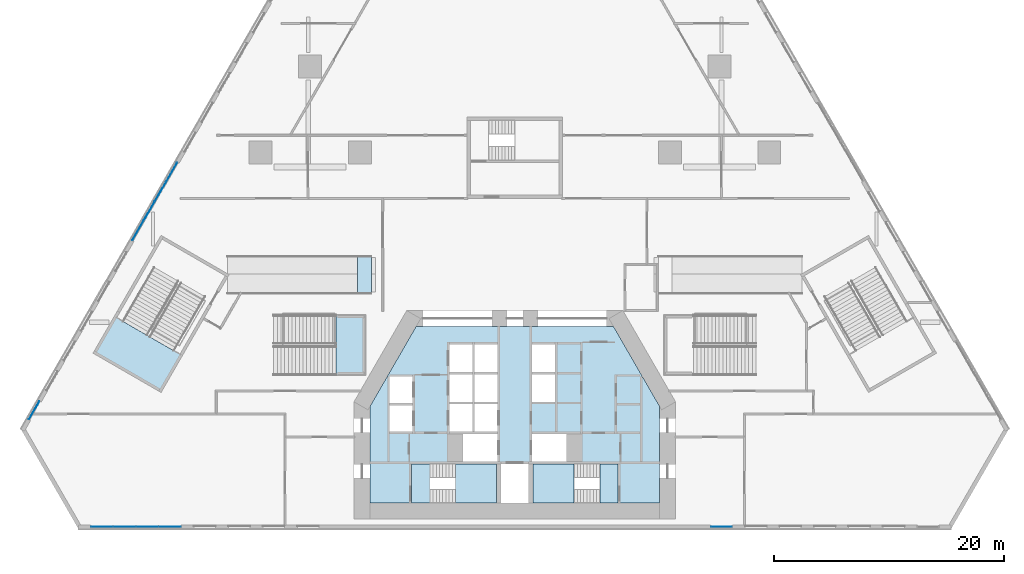
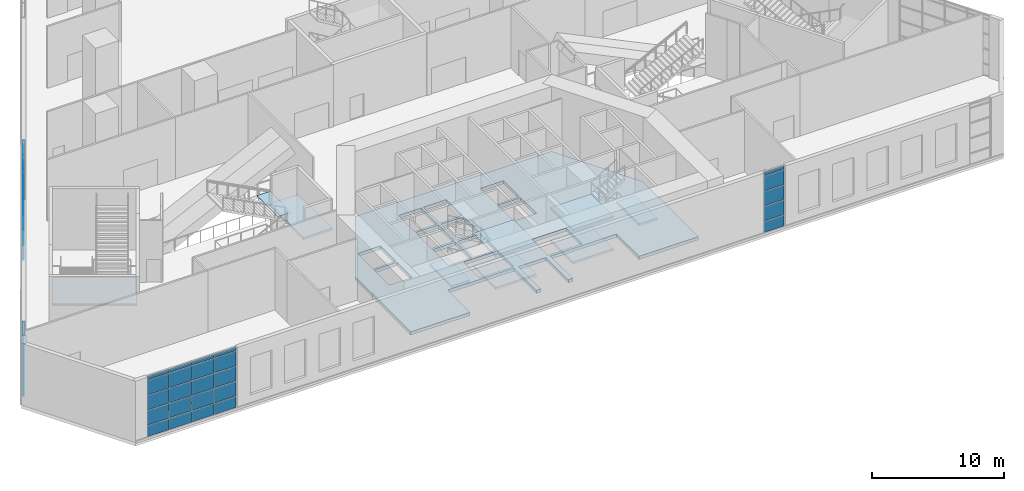
# One storey, part 11 of 27: 51 plates, 9 slabs, 8 elements without a shape of their own.
"""IFC4 building model written with IfcOpenShell, lengths in metres."""

from ifc_helpers import new_model, si_unit, direction, frame, origin, origin_2d, place, context, subcontext, project, spatial, polyline, rectangle, outline, extrude, material, layer, layer_set, type_object, element, aggregate, save


model = new_model("IFC4")

# Units and contexts
model_context = context("Model", 3, precision=1e-05, world=origin(), true_north=direction((0.0, 1.0)))
body_context = subcontext(model_context, "Body", "Model", "MODEL_VIEW")
ifc_project = project(units=[si_unit("LENGTHUNIT", "METRE"), si_unit("AREAUNIT", "SQUARE_METRE"), si_unit("VOLUMEUNIT", "CUBIC_METRE"), si_unit("PLANEANGLEUNIT", "RADIAN"), si_unit("MASSUNIT", "GRAM", prefix="KILO")], contexts=[model_context])

# Site, building, storey
site_placement = place(None, origin())
site = spatial("IfcSite", under=ifc_project, at=site_placement, CompositionType="ELEMENT")
building_placement = place(site_placement, origin())
building = spatial("IfcBuilding", under=site, at=building_placement, Name="Fogline Exchange Tower", CompositionType="ELEMENT")
storey_placement = place(building_placement, frame((0.0, 0.0, 8.0)))
storey = spatial("IfcBuildingStorey", under=building, at=storey_placement, Name="L01", CompositionType="ELEMENT", Elevation=8.0)

# Curtain wall, plates
ifc_material_1 = material(Name="Aluminium and glass", Category="aluminium")
curtain_wall_type = type_object("IfcCurtainWallType", Name="CW3", PredefinedType="NOTDEFINED", material=ifc_material_1)
curtain_wall_1_placement = place(storey_placement, origin())
curtain_wall_1 = element("IfcCurtainWall", 1, at=curtain_wall_1_placement, inside=storey, type_object=curtain_wall_type, Name="CW3 L01 S run 1", PredefinedType="NOTDEFINED")
ifc_material_2 = material(Name="Glass", Category="glass")
ifc_layer_1 = layer(ifc_material_2, 0.028076171875)
ifc_layer_set_1 = layer_set([ifc_layer_1], Name="CW3-P")
plate_type_1 = type_object("IfcPlateType", Name="CW3-P", PredefinedType="CURTAIN_PANEL", material=ifc_layer_set_1)
plate_1_placement = place(storey_placement, frame((-35.9443359375, 0.169921875, 0.06005859375), z_axis=(0.0, 0.0, 1.0), x_axis=(1.0, 0.0, 0.0)))
plate_1 = element("IfcPlate", 2, at=plate_1_placement, type_object=plate_type_1, Name="CW3-P01-01 panel 1.1", PredefinedType="CURTAIN_PANEL", context=body_context, shape_type="SweptSolid", body=[
    extrude(rectangle(XDim=1.896240234375, YDim=0.028076171875, at=origin_2d()), origin(), (0.0, 0.0, 1.0), 1.010009765625),
])
plate_2_placement = place(storey_placement, frame((-35.9443359375, 0.169921875, 1.1298828125), z_axis=(0.0, 0.0, 1.0), x_axis=(1.0, 0.0, 0.0)))
plate_2 = element("IfcPlate", 3, at=plate_2_placement, type_object=plate_type_1, Name="CW3-P01-01 panel 1.2", PredefinedType="CURTAIN_PANEL", context=body_context, shape_type="SweptSolid", body=[
    extrude(rectangle(XDim=1.896240234375, YDim=0.028076171875, at=origin_2d()), origin(), (0.0, 0.0, 1.0), 1.340087890625),
])
plate_3_placement = place(storey_placement, frame((-35.9443359375, 0.169921875, 2.52978515625), z_axis=(0.0, 0.0, 1.0), x_axis=(1.0, 0.0, 0.0)))
plate_3 = element("IfcPlate", 4, at=plate_3_placement, type_object=plate_type_1, Name="CW3-P01-01 panel 1.3", PredefinedType="CURTAIN_PANEL", context=body_context, shape_type="SweptSolid", body=[
    extrude(rectangle(XDim=1.896240234375, YDim=0.028076171875, at=origin_2d()), origin(), (0.0, 0.0, 1.0), 1.340087890625),
])
plate_4_placement = place(storey_placement, frame((-35.9443359375, 0.169921875, 3.93017578125), z_axis=(0.0, 0.0, 1.0), x_axis=(1.0, 0.0, 0.0)))
plate_4 = element("IfcPlate", 5, at=plate_4_placement, type_object=plate_type_1, Name="CW3-P01-01 panel 1.4", PredefinedType="CURTAIN_PANEL", context=body_context, shape_type="SweptSolid", body=[
    extrude(rectangle(XDim=1.896240234375, YDim=0.028076171875, at=origin_2d()), origin(), (0.0, 0.0, 1.0), 1.340087890625),
])
plate_5_placement = place(storey_placement, frame((-35.9443359375, 0.169921875, 5.330078125), z_axis=(0.0, 0.0, 1.0), x_axis=(1.0, 0.0, 0.0)))
plate_5 = element("IfcPlate", 6, at=plate_5_placement, type_object=plate_type_1, Name="CW3-P01-01 panel 1.5", PredefinedType="CURTAIN_PANEL", context=body_context, shape_type="SweptSolid", body=[
    extrude(rectangle(XDim=1.896240234375, YDim=0.028076171875, at=origin_2d()), origin(), (0.0, 0.0, 1.0), 0.31005859375),
])
plate_6_placement = place(storey_placement, frame((-33.985595703125, 0.169921875, 0.06005859375), z_axis=(0.0, 0.0, 1.0), x_axis=(1.0, 0.0, 0.0)))
plate_6 = element("IfcPlate", 7, at=plate_6_placement, type_object=plate_type_1, Name="CW3-P01-01 panel 2.1", PredefinedType="CURTAIN_PANEL", context=body_context, shape_type="SweptSolid", body=[
    extrude(rectangle(XDim=1.921142578125, YDim=0.028076171875, at=origin_2d()), origin(), (0.0, 0.0, 1.0), 1.010009765625),
])
plate_7_placement = place(storey_placement, frame((-33.985595703125, 0.169921875, 1.1298828125), z_axis=(0.0, 0.0, 1.0), x_axis=(1.0, 0.0, 0.0)))
plate_7 = element("IfcPlate", 8, at=plate_7_placement, type_object=plate_type_1, Name="CW3-P01-01 panel 2.2", PredefinedType="CURTAIN_PANEL", context=body_context, shape_type="SweptSolid", body=[
    extrude(rectangle(XDim=1.921142578125, YDim=0.028076171875, at=origin_2d()), origin(), (0.0, 0.0, 1.0), 1.340087890625),
])
plate_8_placement = place(storey_placement, frame((-33.985595703125, 0.169921875, 2.52978515625), z_axis=(0.0, 0.0, 1.0), x_axis=(1.0, 0.0, 0.0)))
plate_8 = element("IfcPlate", 9, at=plate_8_placement, type_object=plate_type_1, Name="CW3-P01-01 panel 2.3", PredefinedType="CURTAIN_PANEL", context=body_context, shape_type="SweptSolid", body=[
    extrude(rectangle(XDim=1.921142578125, YDim=0.028076171875, at=origin_2d()), origin(), (0.0, 0.0, 1.0), 1.340087890625),
])
plate_9_placement = place(storey_placement, frame((-33.985595703125, 0.169921875, 3.93017578125), z_axis=(0.0, 0.0, 1.0), x_axis=(1.0, 0.0, 0.0)))
plate_9 = element("IfcPlate", 10, at=plate_9_placement, type_object=plate_type_1, Name="CW3-P01-01 panel 2.4", PredefinedType="CURTAIN_PANEL", context=body_context, shape_type="SweptSolid", body=[
    extrude(rectangle(XDim=1.921142578125, YDim=0.028076171875, at=origin_2d()), origin(), (0.0, 0.0, 1.0), 1.340087890625),
])
plate_10_placement = place(storey_placement, frame((-33.985595703125, 0.169921875, 5.330078125), z_axis=(0.0, 0.0, 1.0), x_axis=(1.0, 0.0, 0.0)))
plate_10 = element("IfcPlate", 11, at=plate_10_placement, type_object=plate_type_1, Name="CW3-P01-01 panel 2.5", PredefinedType="CURTAIN_PANEL", context=body_context, shape_type="SweptSolid", body=[
    extrude(rectangle(XDim=1.921142578125, YDim=0.028076171875, at=origin_2d()), origin(), (0.0, 0.0, 1.0), 0.31005859375),
])
plate_11_placement = place(storey_placement, frame((-32.014404296875, 0.169921875, 0.06005859375), z_axis=(0.0, 0.0, 1.0), x_axis=(1.0, 0.0, 0.0)))
plate_11 = element("IfcPlate", 12, at=plate_11_placement, type_object=plate_type_1, Name="CW3-P01-01 panel 3.1", PredefinedType="CURTAIN_PANEL", context=body_context, shape_type="SweptSolid", body=[
    extrude(rectangle(XDim=1.921142578125, YDim=0.028076171875, at=origin_2d()), origin(), (0.0, 0.0, 1.0), 1.010009765625),
])
plate_12_placement = place(storey_placement, frame((-32.014404296875, 0.169921875, 1.1298828125), z_axis=(0.0, 0.0, 1.0), x_axis=(1.0, 0.0, 0.0)))
plate_12 = element("IfcPlate", 13, at=plate_12_placement, type_object=plate_type_1, Name="CW3-P01-01 panel 3.2", PredefinedType="CURTAIN_PANEL", context=body_context, shape_type="SweptSolid", body=[
    extrude(rectangle(XDim=1.921142578125, YDim=0.028076171875, at=origin_2d()), origin(), (0.0, 0.0, 1.0), 1.340087890625),
])
plate_13_placement = place(storey_placement, frame((-32.014404296875, 0.169921875, 2.52978515625), z_axis=(0.0, 0.0, 1.0), x_axis=(1.0, 0.0, 0.0)))
plate_13 = element("IfcPlate", 14, at=plate_13_placement, type_object=plate_type_1, Name="CW3-P01-01 panel 3.3", PredefinedType="CURTAIN_PANEL", context=body_context, shape_type="SweptSolid", body=[
    extrude(rectangle(XDim=1.921142578125, YDim=0.028076171875, at=origin_2d()), origin(), (0.0, 0.0, 1.0), 1.340087890625),
])
plate_14_placement = place(storey_placement, frame((-32.014404296875, 0.169921875, 3.93017578125), z_axis=(0.0, 0.0, 1.0), x_axis=(1.0, 0.0, 0.0)))
plate_14 = element("IfcPlate", 15, at=plate_14_placement, type_object=plate_type_1, Name="CW3-P01-01 panel 3.4", PredefinedType="CURTAIN_PANEL", context=body_context, shape_type="SweptSolid", body=[
    extrude(rectangle(XDim=1.921142578125, YDim=0.028076171875, at=origin_2d()), origin(), (0.0, 0.0, 1.0), 1.340087890625),
])
plate_15_placement = place(storey_placement, frame((-32.014404296875, 0.169921875, 5.330078125), z_axis=(0.0, 0.0, 1.0), x_axis=(1.0, 0.0, 0.0)))
plate_15 = element("IfcPlate", 16, at=plate_15_placement, type_object=plate_type_1, Name="CW3-P01-01 panel 3.5", PredefinedType="CURTAIN_PANEL", context=body_context, shape_type="SweptSolid", body=[
    extrude(rectangle(XDim=1.921142578125, YDim=0.028076171875, at=origin_2d()), origin(), (0.0, 0.0, 1.0), 0.31005859375),
])
plate_16_placement = place(storey_placement, frame((-30.0556640625, 0.169921875, 0.06005859375), z_axis=(0.0, 0.0, 1.0), x_axis=(1.0, 0.0, 0.0)))
plate_16 = element("IfcPlate", 17, at=plate_16_placement, type_object=plate_type_1, Name="CW3-P01-01 panel 4.1", PredefinedType="CURTAIN_PANEL", context=body_context, shape_type="SweptSolid", body=[
    extrude(rectangle(XDim=1.896240234375, YDim=0.028076171875, at=origin_2d()), origin(), (0.0, 0.0, 1.0), 1.010009765625),
])
plate_17_placement = place(storey_placement, frame((-30.0556640625, 0.169921875, 1.1298828125), z_axis=(0.0, 0.0, 1.0), x_axis=(1.0, 0.0, 0.0)))
plate_17 = element("IfcPlate", 18, at=plate_17_placement, type_object=plate_type_1, Name="CW3-P01-01 panel 4.2", PredefinedType="CURTAIN_PANEL", context=body_context, shape_type="SweptSolid", body=[
    extrude(rectangle(XDim=1.896240234375, YDim=0.028076171875, at=origin_2d()), origin(), (0.0, 0.0, 1.0), 1.340087890625),
])
plate_18_placement = place(storey_placement, frame((-30.0556640625, 0.169921875, 2.52978515625), z_axis=(0.0, 0.0, 1.0), x_axis=(1.0, 0.0, 0.0)))
plate_18 = element("IfcPlate", 19, at=plate_18_placement, type_object=plate_type_1, Name="CW3-P01-01 panel 4.3", PredefinedType="CURTAIN_PANEL", context=body_context, shape_type="SweptSolid", body=[
    extrude(rectangle(XDim=1.896240234375, YDim=0.028076171875, at=origin_2d()), origin(), (0.0, 0.0, 1.0), 1.340087890625),
])
plate_19_placement = place(storey_placement, frame((-30.0556640625, 0.169921875, 3.93017578125), z_axis=(0.0, 0.0, 1.0), x_axis=(1.0, 0.0, 0.0)))
plate_19 = element("IfcPlate", 20, at=plate_19_placement, type_object=plate_type_1, Name="CW3-P01-01 panel 4.4", PredefinedType="CURTAIN_PANEL", context=body_context, shape_type="SweptSolid", body=[
    extrude(rectangle(XDim=1.896240234375, YDim=0.028076171875, at=origin_2d()), origin(), (0.0, 0.0, 1.0), 1.340087890625),
])
plate_20_placement = place(storey_placement, frame((-30.0556640625, 0.169921875, 5.330078125), z_axis=(0.0, 0.0, 1.0), x_axis=(1.0, 0.0, 0.0)))
plate_20 = element("IfcPlate", 21, at=plate_20_placement, type_object=plate_type_1, Name="CW3-P01-01 panel 4.5", PredefinedType="CURTAIN_PANEL", context=body_context, shape_type="SweptSolid", body=[
    extrude(rectangle(XDim=1.896240234375, YDim=0.028076171875, at=origin_2d()), origin(), (0.0, 0.0, 1.0), 0.31005859375),
])
aggregate(curtain_wall_1, [plate_1, plate_2, plate_3, plate_4, plate_5, plate_6, plate_7, plate_8, plate_9, plate_10, plate_11, plate_12, plate_13, plate_14, plate_15, plate_16, plate_17, plate_18, plate_19, plate_20])

curtain_wall_2_placement = place(storey_placement, origin())
curtain_wall_2 = element("IfcCurtainWall", 22, at=curtain_wall_2_placement, inside=storey, type_object=curtain_wall_type, Name="CW3 L01 S run 2", PredefinedType="NOTDEFINED")
plate_21_placement = place(storey_placement, frame((18.0, 0.169921875, 0.06005859375), z_axis=(0.0, 0.0, 1.0), x_axis=(1.0, 0.0, 0.0)))
plate_21 = element("IfcPlate", 23, at=plate_21_placement, type_object=plate_type_1, Name="CW3-P01-02 panel 1.1", PredefinedType="CURTAIN_PANEL", context=body_context, shape_type="SweptSolid", body=[
    extrude(rectangle(XDim=1.784912109375, YDim=0.028076171875, at=origin_2d()), origin(), (0.0, 0.0, 1.0), 1.010009765625),
])
plate_22_placement = place(storey_placement, frame((18.0, 0.169921875, 1.1298828125), z_axis=(0.0, 0.0, 1.0), x_axis=(1.0, 0.0, 0.0)))
plate_22 = element("IfcPlate", 24, at=plate_22_placement, type_object=plate_type_1, Name="CW3-P01-02 panel 1.2", PredefinedType="CURTAIN_PANEL", context=body_context, shape_type="SweptSolid", body=[
    extrude(rectangle(XDim=1.784912109375, YDim=0.028076171875, at=origin_2d()), origin(), (0.0, 0.0, 1.0), 1.340087890625),
])
plate_23_placement = place(storey_placement, frame((18.0, 0.169921875, 2.52978515625), z_axis=(0.0, 0.0, 1.0), x_axis=(1.0, 0.0, 0.0)))
plate_23 = element("IfcPlate", 25, at=plate_23_placement, type_object=plate_type_1, Name="CW3-P01-02 panel 1.3", PredefinedType="CURTAIN_PANEL", context=body_context, shape_type="SweptSolid", body=[
    extrude(rectangle(XDim=1.784912109375, YDim=0.028076171875, at=origin_2d()), origin(), (0.0, 0.0, 1.0), 1.340087890625),
])
plate_24_placement = place(storey_placement, frame((18.0, 0.169921875, 3.93017578125), z_axis=(0.0, 0.0, 1.0), x_axis=(1.0, 0.0, 0.0)))
plate_24 = element("IfcPlate", 26, at=plate_24_placement, type_object=plate_type_1, Name="CW3-P01-02 panel 1.4", PredefinedType="CURTAIN_PANEL", context=body_context, shape_type="SweptSolid", body=[
    extrude(rectangle(XDim=1.784912109375, YDim=0.028076171875, at=origin_2d()), origin(), (0.0, 0.0, 1.0), 1.340087890625),
])
plate_25_placement = place(storey_placement, frame((18.0, 0.169921875, 5.330078125), z_axis=(0.0, 0.0, 1.0), x_axis=(1.0, 0.0, 0.0)))
plate_25 = element("IfcPlate", 27, at=plate_25_placement, type_object=plate_type_1, Name="CW3-P01-02 panel 1.5", PredefinedType="CURTAIN_PANEL", context=body_context, shape_type="SweptSolid", body=[
    extrude(rectangle(XDim=1.784912109375, YDim=0.028076171875, at=origin_2d()), origin(), (0.0, 0.0, 1.0), 0.31005859375),
])
aggregate(curtain_wall_2, [plate_21, plate_22, plate_23, plate_24, plate_25])

curtain_wall_3_placement = place(storey_placement, origin())
curtain_wall_3 = element("IfcCurtainWall", 28, at=curtain_wall_3_placement, inside=storey, type_object=curtain_wall_type, Name="CW3 L01 W run 3", PredefinedType="NOTDEFINED")
plate_26_placement = place(storey_placement, frame((-29.880615234375, 31.043701171875, 0.06005859375), z_axis=(0.0, 0.0, 1.0), x_axis=(-0.500000016959, -0.866025393993, 0.0)))
plate_26 = element("IfcPlate", 29, at=plate_26_placement, type_object=plate_type_1, Name="CW3-P01-10 panel 1.1", PredefinedType="CURTAIN_PANEL", context=body_context, shape_type="SweptSolid", body=[
    extrude(rectangle(XDim=1.896240234375, YDim=0.028076171875, at=origin_2d()), origin(), (0.0, 0.0, 1.0), 1.010009765625),
])
plate_27_placement = place(storey_placement, frame((-29.880615234375, 31.043701171875, 1.1298828125), z_axis=(0.0, 0.0, 1.0), x_axis=(-0.500000016959, -0.866025393993, 0.0)))
plate_27 = element("IfcPlate", 30, at=plate_27_placement, type_object=plate_type_1, Name="CW3-P01-10 panel 1.2", PredefinedType="CURTAIN_PANEL", context=body_context, shape_type="SweptSolid", body=[
    extrude(rectangle(XDim=1.896240234375, YDim=0.028076171875, at=origin_2d()), origin(), (0.0, 0.0, 1.0), 1.340087890625),
])
plate_28_placement = place(storey_placement, frame((-29.880615234375, 31.043701171875, 2.52978515625), z_axis=(0.0, 0.0, 1.0), x_axis=(-0.500000016959, -0.866025393993, 0.0)))
plate_28 = element("IfcPlate", 31, at=plate_28_placement, type_object=plate_type_1, Name="CW3-P01-10 panel 1.3", PredefinedType="CURTAIN_PANEL", context=body_context, shape_type="SweptSolid", body=[
    extrude(rectangle(XDim=1.896240234375, YDim=0.028076171875, at=origin_2d()), origin(), (0.0, 0.0, 1.0), 1.340087890625),
])
plate_29_placement = place(storey_placement, frame((-29.880615234375, 31.043701171875, 3.93017578125), z_axis=(0.0, 0.0, 1.0), x_axis=(-0.500000016959, -0.866025393993, 0.0)))
plate_29 = element("IfcPlate", 32, at=plate_29_placement, type_object=plate_type_1, Name="CW3-P01-10 panel 1.4", PredefinedType="CURTAIN_PANEL", context=body_context, shape_type="SweptSolid", body=[
    extrude(rectangle(XDim=1.896240234375, YDim=0.028076171875, at=origin_2d()), origin(), (0.0, 0.0, 1.0), 1.340087890625),
])
plate_30_placement = place(storey_placement, frame((-29.880615234375, 31.043701171875, 5.330078125), z_axis=(0.0, 0.0, 1.0), x_axis=(-0.500000016959, -0.866025393993, 0.0)))
plate_30 = element("IfcPlate", 33, at=plate_30_placement, type_object=plate_type_1, Name="CW3-P01-10 panel 1.5", PredefinedType="CURTAIN_PANEL", context=body_context, shape_type="SweptSolid", body=[
    extrude(rectangle(XDim=1.896240234375, YDim=0.028076171875, at=origin_2d()), origin(), (0.0, 0.0, 1.0), 0.31005859375),
])
plate_31_placement = place(storey_placement, frame((-30.85986328125, 29.347412109375, 0.06005859375), z_axis=(0.0, 0.0, 1.0), x_axis=(-0.500000016959, -0.866025393993, 0.0)))
plate_31 = element("IfcPlate", 34, at=plate_31_placement, type_object=plate_type_1, Name="CW3-P01-10 panel 2.1", PredefinedType="CURTAIN_PANEL", context=body_context, shape_type="SweptSolid", body=[
    extrude(rectangle(XDim=1.921142578125, YDim=0.028076171875, at=origin_2d()), origin(), (0.0, 0.0, 1.0), 1.010009765625),
])
plate_32_placement = place(storey_placement, frame((-30.85986328125, 29.347412109375, 1.1298828125), z_axis=(0.0, 0.0, 1.0), x_axis=(-0.500000016959, -0.866025393993, 0.0)))
plate_32 = element("IfcPlate", 35, at=plate_32_placement, type_object=plate_type_1, Name="CW3-P01-10 panel 2.2", PredefinedType="CURTAIN_PANEL", context=body_context, shape_type="SweptSolid", body=[
    extrude(rectangle(XDim=1.921142578125, YDim=0.028076171875, at=origin_2d()), origin(), (0.0, 0.0, 1.0), 1.340087890625),
])
plate_33_placement = place(storey_placement, frame((-30.85986328125, 29.347412109375, 2.52978515625), z_axis=(0.0, 0.0, 1.0), x_axis=(-0.500000016959, -0.866025393993, 0.0)))
plate_33 = element("IfcPlate", 36, at=plate_33_placement, type_object=plate_type_1, Name="CW3-P01-10 panel 2.3", PredefinedType="CURTAIN_PANEL", context=body_context, shape_type="SweptSolid", body=[
    extrude(rectangle(XDim=1.921142578125, YDim=0.028076171875, at=origin_2d()), origin(), (0.0, 0.0, 1.0), 1.340087890625),
])
plate_34_placement = place(storey_placement, frame((-30.85986328125, 29.347412109375, 3.93017578125), z_axis=(0.0, 0.0, 1.0), x_axis=(-0.500000016959, -0.866025393993, 0.0)))
plate_34 = element("IfcPlate", 37, at=plate_34_placement, type_object=plate_type_1, Name="CW3-P01-10 panel 2.4", PredefinedType="CURTAIN_PANEL", context=body_context, shape_type="SweptSolid", body=[
    extrude(rectangle(XDim=1.921142578125, YDim=0.028076171875, at=origin_2d()), origin(), (0.0, 0.0, 1.0), 1.340087890625),
])
plate_35_placement = place(storey_placement, frame((-30.85986328125, 29.347412109375, 5.330078125), z_axis=(0.0, 0.0, 1.0), x_axis=(-0.500000016959, -0.866025393993, 0.0)))
plate_35 = element("IfcPlate", 38, at=plate_35_placement, type_object=plate_type_1, Name="CW3-P01-10 panel 2.5", PredefinedType="CURTAIN_PANEL", context=body_context, shape_type="SweptSolid", body=[
    extrude(rectangle(XDim=1.921142578125, YDim=0.028076171875, at=origin_2d()), origin(), (0.0, 0.0, 1.0), 0.31005859375),
])
plate_36_placement = place(storey_placement, frame((-31.845703125, 27.64013671875, 0.06005859375), z_axis=(0.0, 0.0, 1.0), x_axis=(-0.500000016959, -0.866025393993, 0.0)))
plate_36 = element("IfcPlate", 39, at=plate_36_placement, type_object=plate_type_1, Name="CW3-P01-10 panel 3.1", PredefinedType="CURTAIN_PANEL", context=body_context, shape_type="SweptSolid", body=[
    extrude(rectangle(XDim=1.921142578125, YDim=0.028076171875, at=origin_2d()), origin(), (0.0, 0.0, 1.0), 1.010009765625),
])
plate_37_placement = place(storey_placement, frame((-31.845703125, 27.64013671875, 1.1298828125), z_axis=(0.0, 0.0, 1.0), x_axis=(-0.500000016959, -0.866025393993, 0.0)))
plate_37 = element("IfcPlate", 40, at=plate_37_placement, type_object=plate_type_1, Name="CW3-P01-10 panel 3.2", PredefinedType="CURTAIN_PANEL", context=body_context, shape_type="SweptSolid", body=[
    extrude(rectangle(XDim=1.921142578125, YDim=0.028076171875, at=origin_2d()), origin(), (0.0, 0.0, 1.0), 1.340087890625),
])
plate_38_placement = place(storey_placement, frame((-31.845703125, 27.64013671875, 2.52978515625), z_axis=(0.0, 0.0, 1.0), x_axis=(-0.500000016959, -0.866025393993, 0.0)))
plate_38 = element("IfcPlate", 41, at=plate_38_placement, type_object=plate_type_1, Name="CW3-P01-10 panel 3.3", PredefinedType="CURTAIN_PANEL", context=body_context, shape_type="SweptSolid", body=[
    extrude(rectangle(XDim=1.921142578125, YDim=0.028076171875, at=origin_2d()), origin(), (0.0, 0.0, 1.0), 1.340087890625),
])
plate_39_placement = place(storey_placement, frame((-31.845703125, 27.64013671875, 3.93017578125), z_axis=(0.0, 0.0, 1.0), x_axis=(-0.500000016959, -0.866025393993, 0.0)))
plate_39 = element("IfcPlate", 42, at=plate_39_placement, type_object=plate_type_1, Name="CW3-P01-10 panel 3.4", PredefinedType="CURTAIN_PANEL", context=body_context, shape_type="SweptSolid", body=[
    extrude(rectangle(XDim=1.921142578125, YDim=0.028076171875, at=origin_2d()), origin(), (0.0, 0.0, 1.0), 1.340087890625),
])
plate_40_placement = place(storey_placement, frame((-31.845703125, 27.64013671875, 5.330078125), z_axis=(0.0, 0.0, 1.0), x_axis=(-0.500000016959, -0.866025393993, 0.0)))
plate_40 = element("IfcPlate", 43, at=plate_40_placement, type_object=plate_type_1, Name="CW3-P01-10 panel 3.5", PredefinedType="CURTAIN_PANEL", context=body_context, shape_type="SweptSolid", body=[
    extrude(rectangle(XDim=1.921142578125, YDim=0.028076171875, at=origin_2d()), origin(), (0.0, 0.0, 1.0), 0.31005859375),
])
plate_41_placement = place(storey_placement, frame((-32.824951171875, 25.94384765625, 0.06005859375), z_axis=(0.0, 0.0, 1.0), x_axis=(-0.500000016959, -0.866025393993, 0.0)))
plate_41 = element("IfcPlate", 44, at=plate_41_placement, type_object=plate_type_1, Name="CW3-P01-10 panel 4.1", PredefinedType="CURTAIN_PANEL", context=body_context, shape_type="SweptSolid", body=[
    extrude(rectangle(XDim=1.896240234375, YDim=0.028076171875, at=origin_2d()), origin(), (0.0, 0.0, 1.0), 1.010009765625),
])
plate_42_placement = place(storey_placement, frame((-32.824951171875, 25.94384765625, 1.1298828125), z_axis=(0.0, 0.0, 1.0), x_axis=(-0.500000016959, -0.866025393993, 0.0)))
plate_42 = element("IfcPlate", 45, at=plate_42_placement, type_object=plate_type_1, Name="CW3-P01-10 panel 4.2", PredefinedType="CURTAIN_PANEL", context=body_context, shape_type="SweptSolid", body=[
    extrude(rectangle(XDim=1.896240234375, YDim=0.028076171875, at=origin_2d()), origin(), (0.0, 0.0, 1.0), 1.340087890625),
])
plate_43_placement = place(storey_placement, frame((-32.824951171875, 25.94384765625, 2.52978515625), z_axis=(0.0, 0.0, 1.0), x_axis=(-0.500000016959, -0.866025393993, 0.0)))
plate_43 = element("IfcPlate", 46, at=plate_43_placement, type_object=plate_type_1, Name="CW3-P01-10 panel 4.3", PredefinedType="CURTAIN_PANEL", context=body_context, shape_type="SweptSolid", body=[
    extrude(rectangle(XDim=1.896240234375, YDim=0.028076171875, at=origin_2d()), origin(), (0.0, 0.0, 1.0), 1.340087890625),
])
plate_44_placement = place(storey_placement, frame((-32.824951171875, 25.94384765625, 3.93017578125), z_axis=(0.0, 0.0, 1.0), x_axis=(-0.500000016959, -0.866025393993, 0.0)))
plate_44 = element("IfcPlate", 47, at=plate_44_placement, type_object=plate_type_1, Name="CW3-P01-10 panel 4.4", PredefinedType="CURTAIN_PANEL", context=body_context, shape_type="SweptSolid", body=[
    extrude(rectangle(XDim=1.896240234375, YDim=0.028076171875, at=origin_2d()), origin(), (0.0, 0.0, 1.0), 1.340087890625),
])
plate_45_placement = place(storey_placement, frame((-32.824951171875, 25.94384765625, 5.330078125), z_axis=(0.0, 0.0, 1.0), x_axis=(-0.500000016959, -0.866025393993, 0.0)))
plate_45 = element("IfcPlate", 48, at=plate_45_placement, type_object=plate_type_1, Name="CW3-P01-10 panel 4.5", PredefinedType="CURTAIN_PANEL", context=body_context, shape_type="SweptSolid", body=[
    extrude(rectangle(XDim=1.896240234375, YDim=0.028076171875, at=origin_2d()), origin(), (0.0, 0.0, 1.0), 0.31005859375),
])
aggregate(curtain_wall_3, [plate_26, plate_27, plate_28, plate_29, plate_30, plate_31, plate_32, plate_33, plate_34, plate_35, plate_36, plate_37, plate_38, plate_39, plate_40, plate_41, plate_42, plate_43, plate_44, plate_45])

curtain_wall_4_placement = place(storey_placement, origin())
curtain_wall_4 = element("IfcCurtainWall", 49, at=curtain_wall_4_placement, inside=storey, type_object=curtain_wall_type, Name="CW3 L01 W run 4", PredefinedType="NOTDEFINED")
plate_46_placement = place(storey_placement, frame((-41.852783203125, 10.307373046875, 0.06005859375), z_axis=(0.0, 0.0, 1.0), x_axis=(-0.500001811561, -0.866024357877, 0.0)))
plate_46 = element("IfcPlate", 50, at=plate_46_placement, type_object=plate_type_1, Name="CW3-P01-11 panel 1.1", PredefinedType="CURTAIN_PANEL", context=body_context, shape_type="SweptSolid", body=[
    extrude(rectangle(XDim=1.784912109375, YDim=0.028076171875, at=origin_2d()), origin(), (0.0, 0.0, 1.0), 1.010009765625),
])
plate_47_placement = place(storey_placement, frame((-41.852783203125, 10.307373046875, 1.1298828125), z_axis=(0.0, 0.0, 1.0), x_axis=(-0.500001811561, -0.866024357877, 0.0)))
plate_47 = element("IfcPlate", 51, at=plate_47_placement, type_object=plate_type_1, Name="CW3-P01-11 panel 1.2", PredefinedType="CURTAIN_PANEL", context=body_context, shape_type="SweptSolid", body=[
    extrude(rectangle(XDim=1.784912109375, YDim=0.028076171875, at=origin_2d()), origin(), (0.0, 0.0, 1.0), 1.340087890625),
])
plate_48_placement = place(storey_placement, frame((-41.852783203125, 10.307373046875, 2.52978515625), z_axis=(0.0, 0.0, 1.0), x_axis=(-0.500001811561, -0.866024357877, 0.0)))
plate_48 = element("IfcPlate", 52, at=plate_48_placement, type_object=plate_type_1, Name="CW3-P01-11 panel 1.3", PredefinedType="CURTAIN_PANEL", context=body_context, shape_type="SweptSolid", body=[
    extrude(rectangle(XDim=1.784912109375, YDim=0.028076171875, at=origin_2d()), origin(), (0.0, 0.0, 1.0), 1.340087890625),
])
plate_49_placement = place(storey_placement, frame((-41.852783203125, 10.307373046875, 3.93017578125), z_axis=(0.0, 0.0, 1.0), x_axis=(-0.500001811561, -0.866024357877, 0.0)))
plate_49 = element("IfcPlate", 53, at=plate_49_placement, type_object=plate_type_1, Name="CW3-P01-11 panel 1.4", PredefinedType="CURTAIN_PANEL", context=body_context, shape_type="SweptSolid", body=[
    extrude(rectangle(XDim=1.784912109375, YDim=0.028076171875, at=origin_2d()), origin(), (0.0, 0.0, 1.0), 1.340087890625),
])
plate_50_placement = place(storey_placement, frame((-41.852783203125, 10.307373046875, 5.330078125), z_axis=(0.0, 0.0, 1.0), x_axis=(-0.500001811561, -0.866024357877, 0.0)))
plate_50 = element("IfcPlate", 54, at=plate_50_placement, type_object=plate_type_1, Name="CW3-P01-11 panel 1.5", PredefinedType="CURTAIN_PANEL", context=body_context, shape_type="SweptSolid", body=[
    extrude(rectangle(XDim=1.784912109375, YDim=0.028076171875, at=origin_2d()), origin(), (0.0, 0.0, 1.0), 0.31005859375),
])
aggregate(curtain_wall_4, [plate_46, plate_47, plate_48, plate_49, plate_50])

# Plate
ifc_material_3 = material(Name="Aluminium", Category="aluminium")
ifc_layer_2 = layer(ifc_material_3, 0.050048828125)
ifc_layer_set_2 = layer_set([ifc_layer_2], Name="EP1")
plate_type_2 = type_object("IfcPlateType", Name="EP1", PredefinedType="SHEET", material=ifc_layer_set_2)
plate_51_placement = place(storey_placement, frame((0.0, 0.0, -0.050048828125)))
element("IfcPlate", 55, at=plate_51_placement, inside=storey, type_object=plate_type_2, Name="Escalator landing plate", PredefinedType="SHEET", context=body_context, shape_type="SweptSolid", body=[
    extrude(outline(polyline([(-13.699951171875, 20.5), (-12.5, 20.5), (-12.5, 23.699951171875), (-13.699951171875, 23.699951171875), (-13.699951171875, 20.5)])), origin(), (0.0, 0.0, 1.0), 0.050048828125),
])

# Stair, slab
ifc_material_4 = material(Name="Concrete C40", Category="concrete")
stair_type_1 = type_object("IfcStairType", Name="PSF0-36-1667", PredefinedType="HALF_TURN_STAIR", material=ifc_material_4)
stair_1_placement = place(storey_placement, origin())
stair_1 = element("IfcStair", 56, at=stair_1_placement, inside=storey, type_object=stair_type_1, Name="Stair ST4", PredefinedType="HALF_TURN_STAIR")
ifc_layer_3 = layer(ifc_material_4, 0.199951171875)
ifc_layer_set_3 = layer_set([ifc_layer_3], Name="PSL1")
slab_type_1 = type_object("IfcSlabType", Name="PSL1", PredefinedType="LANDING", material=ifc_layer_set_3)
slab_1_placement = place(storey_placement, frame((0.0, 0.0, 2.800048828125)))
slab_1 = element("IfcSlab", 57, at=slab_1_placement, type_object=slab_type_1, Name="ST4 landing 1", PredefinedType="LANDING", context=body_context, shape_type="SweptSolid", body=[
    extrude(outline(polyline([(-36.444091796875, 15.36572265625), (-34.6982421875, 18.389892578125), (-29.129638671875, 15.175048828125), (-30.87548828125, 12.15087890625), (-36.444091796875, 15.36572265625)])), origin(), (0.0, 0.0, 1.0), 0.199951171875),
])
aggregate(stair_1, [slab_1])

stair_2_placement = place(storey_placement, origin())
stair_2 = element("IfcStair", 58, at=stair_2_placement, inside=storey, type_object=stair_type_1, Name="Public stair PS1", PredefinedType="HALF_TURN_STAIR")
slab_2_placement = place(storey_placement, frame((0.0, 0.0, 2.800048828125)))
slab_2 = element("IfcSlab", 59, at=slab_2_placement, type_object=slab_type_1, Name="PS1 landing 1", PredefinedType="LANDING", context=body_context, shape_type="SweptSolid", body=[
    extrude(outline(polyline([(-15.56201171875, 13.39990234375), (-13.0, 13.39990234375), (-13.0, 18.60009765625), (-15.56201171875, 18.60009765625), (-15.56201171875, 13.39990234375)])), origin(), (0.0, 0.0, 1.0), 0.199951171875),
])
aggregate(stair_2, [slab_2])

# Slab
ifc_layer_4 = layer(ifc_material_4, 0.300048828125)
ifc_layer_set_4 = layer_set([ifc_layer_4], Name="S04")
slab_type_2 = type_object("IfcSlabType", Name="S04", PredefinedType="FLOOR", material=ifc_layer_set_4)
slab_3_placement = place(storey_placement, frame((0.0, 0.0, -0.300048828125)))
element("IfcSlab", 60, at=slab_3_placement, inside=storey, type_object=slab_type_2, Name="Core floor slab", PredefinedType="FLOOR", context=body_context, shape_type="SweptSolid", body=[
    extrude(outline(polyline([(-12.60009765625, 2.25), (-12.60009765625, 10.677490234375), (-8.603271484375, 17.60009765625), (8.603271484375, 17.60009765625), (12.60009765625, 10.677490234375), (12.60009765625, 2.25), (7.389892578125, 2.25), (7.389892578125, 5.64990234375), (1.60009765625, 5.64990234375), (1.60009765625, 2.25), (1.199951171875, 2.25), (1.199951171875, 5.64990234375), (-1.199951171875, 5.64990234375), (-1.199951171875, 2.25), (-1.60009765625, 2.25), (-1.60009765625, 5.64990234375), (-7.389892578125, 5.64990234375), (-7.389892578125, 2.25), (-12.60009765625, 2.25)]), holes=[polyline([(-1.5, 8.25), (-4.5, 8.25), (-4.5, 5.85009765625), (-1.5, 5.85009765625), (-1.5, 8.25)]), polyline([(-8.89990234375, 10.75), (-10.89990234375, 10.75), (-10.89990234375, 8.449951171875), (-8.89990234375, 8.449951171875), (-8.89990234375, 10.75)]), polyline([(-3.699951171875, 10.85009765625), (-5.699951171875, 10.85009765625), (-5.699951171875, 8.449951171875), (-3.699951171875, 8.449951171875), (-3.699951171875, 10.85009765625)]), polyline([(-1.5, 10.85009765625), (-3.5, 10.85009765625), (-3.5, 8.449951171875), (-1.5, 8.449951171875), (-1.5, 10.85009765625)]), polyline([(-8.89990234375, 13.25), (-10.89990234375, 13.25), (-10.89990234375, 10.949951171875), (-8.89990234375, 10.949951171875), (-8.89990234375, 13.25)]), polyline([(-3.699951171875, 13.449951171875), (-5.699951171875, 13.449951171875), (-5.699951171875, 11.050048828125), (-3.699951171875, 11.050048828125), (-3.699951171875, 13.449951171875)]), polyline([(-3.699951171875, 16.050048828125), (-5.699951171875, 16.050048828125), (-5.699951171875, 13.64990234375), (-3.699951171875, 13.64990234375), (-3.699951171875, 16.050048828125)]), polyline([(4.5, 8.25), (1.5, 8.25), (1.5, 5.85009765625), (4.5, 5.85009765625), (4.5, 8.25)]), polyline([(-1.5, 13.449951171875), (-3.5, 13.449951171875), (-3.5, 11.050048828125), (-1.5, 11.050048828125), (-1.5, 13.449951171875)]), polyline([(3.5, 13.449951171875), (1.5, 13.449951171875), (1.5, 11.050048828125), (3.5, 11.050048828125), (3.5, 13.449951171875)]), polyline([(-1.5, 16.050048828125), (-3.5, 16.050048828125), (-3.5, 13.64990234375), (-1.5, 13.64990234375), (-1.5, 16.050048828125)]), polyline([(3.5, 16.050048828125), (1.5, 16.050048828125), (1.5, 13.64990234375), (3.5, 13.64990234375), (3.5, 16.050048828125)])]), origin(), (0.0, 0.0, 1.0), 0.300048828125),
])

# Stair, slabs
stair_type_2 = type_object("IfcStairType", Name="STR36-1667W1200", PredefinedType="HALF_TURN_STAIR", material=ifc_material_4)
stair_3_placement = place(storey_placement, origin())
stair_3 = element("IfcStair", 61, at=stair_3_placement, inside=storey, type_object=stair_type_2, Name="Stair ST1", PredefinedType="HALF_TURN_STAIR")
ifc_layer_5 = layer(ifc_material_4, 0.199951171875)
ifc_layer_set_5 = layer_set([ifc_layer_5], Name="SL200")
slab_type_3 = type_object("IfcSlabType", Name="SL200", PredefinedType="LANDING", material=ifc_layer_set_5)
slab_4_placement = place(storey_placement, frame((0.0, 0.0, 1.300048828125)))
slab_4 = element("IfcSlab", 62, at=slab_4_placement, type_object=slab_type_3, Name="ST1 landing 1", PredefinedType="LANDING", context=body_context, shape_type="SweptSolid", body=[
    extrude(outline(polyline([(-5.159912109375, 2.25), (-1.60009765625, 2.25), (-1.60009765625, 5.64990234375), (-5.159912109375, 5.64990234375), (-5.159912109375, 2.25)])), origin(), (0.0, 0.0, 1.0), 0.199951171875),
])
slab_5_placement = place(storey_placement, frame((0.0, 0.0, 2.800048828125)))
slab_5 = element("IfcSlab", 63, at=slab_5_placement, type_object=slab_type_3, Name="ST1 landing 2", PredefinedType="LANDING", context=body_context, shape_type="SweptSolid", body=[
    extrude(outline(polyline([(-9.0, 2.25), (-7.39990234375, 2.25), (-7.39990234375, 5.64990234375), (-9.0, 5.64990234375), (-9.0, 2.25)])), origin(), (0.0, 0.0, 1.0), 0.199951171875),
])
slab_6_placement = place(storey_placement, frame((0.0, 0.0, 4.300048828125)))
slab_6 = element("IfcSlab", 64, at=slab_6_placement, type_object=slab_type_3, Name="ST1 landing 3", PredefinedType="LANDING", context=body_context, shape_type="SweptSolid", body=[
    extrude(outline(polyline([(-5.159912109375, 2.25), (-1.60009765625, 2.25), (-1.60009765625, 5.64990234375), (-5.159912109375, 5.64990234375), (-5.159912109375, 2.25)])), origin(), (0.0, 0.0, 1.0), 0.199951171875),
])
aggregate(stair_3, [slab_4, slab_5, slab_6])

stair_4_placement = place(storey_placement, origin())
stair_4 = element("IfcStair", 65, at=stair_4_placement, inside=storey, type_object=stair_type_2, Name="Stair ST2", PredefinedType="HALF_TURN_STAIR")
slab_7_placement = place(storey_placement, frame((0.0, 0.0, 1.300048828125)))
slab_7 = element("IfcSlab", 66, at=slab_7_placement, type_object=slab_type_3, Name="ST2 landing 1", PredefinedType="LANDING", context=body_context, shape_type="SweptSolid", body=[
    extrude(outline(polyline([(1.60009765625, 2.25), (5.159912109375, 2.25), (5.159912109375, 5.64990234375), (1.60009765625, 5.64990234375), (1.60009765625, 2.25)])), origin(), (0.0, 0.0, 1.0), 0.199951171875),
])
slab_8_placement = place(storey_placement, frame((0.0, 0.0, 2.800048828125)))
slab_8 = element("IfcSlab", 67, at=slab_8_placement, type_object=slab_type_3, Name="ST2 landing 2", PredefinedType="LANDING", context=body_context, shape_type="SweptSolid", body=[
    extrude(outline(polyline([(7.39990234375, 2.25), (9.0, 2.25), (9.0, 5.64990234375), (7.39990234375, 5.64990234375), (7.39990234375, 2.25)])), origin(), (0.0, 0.0, 1.0), 0.199951171875),
])
slab_9_placement = place(storey_placement, frame((0.0, 0.0, 4.300048828125)))
slab_9 = element("IfcSlab", 68, at=slab_9_placement, type_object=slab_type_3, Name="ST2 landing 3", PredefinedType="LANDING", context=body_context, shape_type="SweptSolid", body=[
    extrude(outline(polyline([(1.60009765625, 2.25), (5.159912109375, 2.25), (5.159912109375, 5.64990234375), (1.60009765625, 5.64990234375), (1.60009765625, 2.25)])), origin(), (0.0, 0.0, 1.0), 0.199951171875),
])
aggregate(stair_4, [slab_7, slab_8, slab_9])

save(model, "model.ifc")
